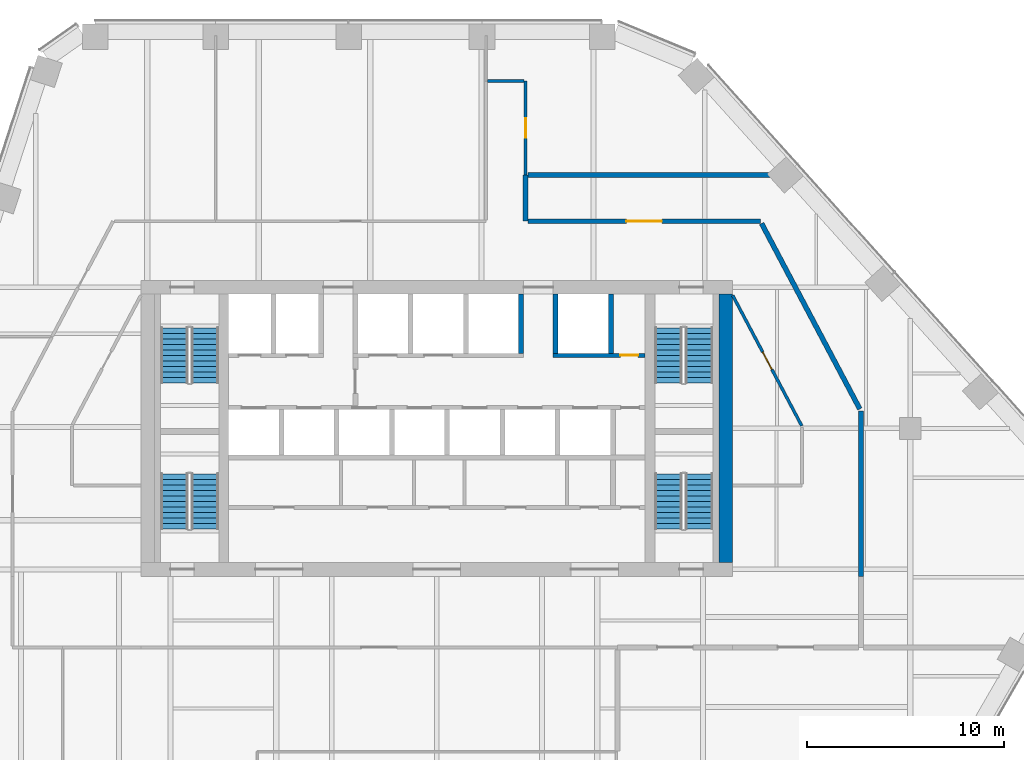
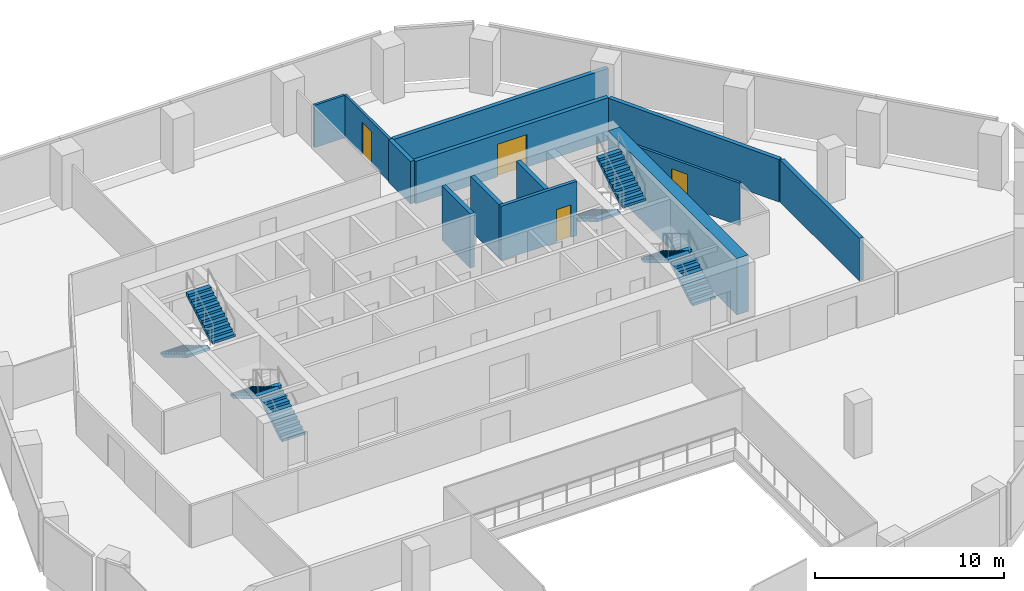
# One storey, part 13 of 16: 13 walls, 8 stair flights, 4 doors, 4 openings, 4 elements without a shape of their own.
"""IFC4 building model written with IfcOpenShell, lengths in metres."""

from ifc_helpers import new_model, si_unit, direction, frame, frame_2d, origin, place, context, subcontext, project, spatial, polyline, rectangle, outline, extrude, material, layer, layer_set, type_object, element, fill, aggregate, save


model = new_model("IFC4")

# Units and contexts
model_context = context("Model", 3, precision=1e-05, world=origin(), true_north=direction((0.0, 1.0)))
body_context = subcontext(model_context, "Body", "Model", "MODEL_VIEW")
ifc_project = project(units=[si_unit("LENGTHUNIT", "METRE"), si_unit("AREAUNIT", "SQUARE_METRE"), si_unit("VOLUMEUNIT", "CUBIC_METRE"), si_unit("PLANEANGLEUNIT", "RADIAN"), si_unit("MASSUNIT", "GRAM", prefix="KILO")], contexts=[model_context])

# Site, building, storey
site_placement = place(None, origin())
site = spatial("IfcSite", under=ifc_project, at=site_placement, CompositionType="ELEMENT")
building_placement = place(site_placement, origin())
building = spatial("IfcBuilding", under=site, at=building_placement, Name="Isthmus Gate Tower", CompositionType="ELEMENT")
storey_placement = place(building_placement, frame((0.0, 0.0, 178.10009765625)))
storey = spatial("IfcBuildingStorey", under=building, at=storey_placement, Name="L44", CompositionType="ELEMENT", Elevation=178.10009765625)

# Walls
ifc_material_1 = material(Name="Double-leaf acoustic stud wall, fire-rated", Category="gypsum")
ifc_layer_1 = layer(ifc_material_1, 0.25)
ifc_layer_set_1 = layer_set([ifc_layer_1], Name="ACOUSTIC WALL 250 60 MIN")
wall_type_1 = type_object("IfcWallType", Name="ACOUSTIC WALL 250 60 MIN", PredefinedType="PARTITIONING", material=ifc_layer_set_1)
wall_1_placement = place(storey_placement, frame((4.5, 20.341064453125, 0.0), z_axis=(0.0, 0.0, 1.0), x_axis=(0.0, -1.0, 0.0)))
element("IfcWall", 1, at=wall_1_placement, inside=storey, type_object=wall_type_1, Name="L44 Acoustic Wall 250 60 Min", PredefinedType="PARTITIONING", context=body_context, shape_type="SweptSolid", body=[
    extrude(rectangle(XDim=2.341064453125, YDim=0.25, at=frame_2d((1.17041015625, 0.0))), origin(), (0.0, 0.0, 1.0), 2.7412109375),
])
wall_2_placement = place(storey_placement, frame((21.5, 8.373046875, 0.0), z_axis=(0.0, 0.0, 1.0), x_axis=(0.0, -1.0, 0.0)))
element("IfcWall", 2, at=wall_2_placement, inside=storey, type_object=wall_type_1, Name="L44 Acoustic Wall 250 60 Min", PredefinedType="PARTITIONING", context=body_context, shape_type="SweptSolid", body=[
    extrude(rectangle(XDim=8.373046875, YDim=0.25, at=frame_2d((4.1865234375, 0.0))), origin(), (0.0, 0.0, 1.0), 2.7412109375),
])
wall_3_placement = place(storey_placement, frame((4.625, 20.341064453125, 0.0), z_axis=(0.0, 0.0, 1.0), x_axis=(1.0, 0.0, 0.0)))
element("IfcWall", 3, at=wall_3_placement, inside=storey, type_object=wall_type_1, Name="L44 Acoustic Wall 250 60 Min", PredefinedType="PARTITIONING", context=body_context, shape_type="SweptSolid", body=[
    extrude(rectangle(XDim=13.10595703125, YDim=0.25, at=frame_2d((6.552978515625, 0.0))), origin(), (0.0, 0.0, 1.0), 2.7412109375),
])

# Wall, opening, door
wall_4_placement = place(storey_placement, frame((4.625, 18.0, 0.0), z_axis=(0.0, 0.0, 1.0), x_axis=(1.0, 0.0, 0.0)))
wall_4 = element("IfcWall", 4, at=wall_4_placement, inside=storey, type_object=wall_type_1, Name="L44 Acoustic Wall 250 60 Min", PredefinedType="PARTITIONING", context=body_context, shape_type="SweptSolid", body=[
    extrude(rectangle(XDim=11.778076171875, YDim=0.25, at=frame_2d((5.88916015625, 0.0))), origin(), (0.0, 0.0, 1.0), 2.7412109375),
])
opening_1_placement = place(wall_4_placement, frame((4.989013671875, 0.0, 0.0)))
opening_1 = element("IfcOpeningElement", 5, at=opening_1_placement, cuts=wall_4, Name="Opening DT-T4A-06", PredefinedType="OPENING", context=body_context, shape_type="SweptSolid", body=[
    extrude(rectangle(XDim=1.800048828125, YDim=2.10009765625, at=frame_2d((0.89990234375, 1.050048828125))), frame((0.0, 0.135009765625, 0.0), z_axis=(0.0, -1.0, 0.0), x_axis=(1.0, 0.0, 0.0)), (0.0, 0.0, 1.0), 0.27001953125),
])
ifc_material_2 = material(Name="Solid core timber door leaf, fire-rated", Category="wood")
door_type_1 = type_object("IfcDoorType", Name="FIRE DOOR ACOUSTIC ROOM 1800 X 2100 60 MIN", OperationType="DOUBLE_DOOR_DOUBLE_SWING", PredefinedType="DOOR", material=ifc_material_2)
door_1_placement = place(opening_1_placement, origin())
door_1 = element("IfcDoor", 6, at=door_1_placement, inside=storey, type_object=door_type_1, Name="L44 room door", OperationType="DOUBLE_DOOR_DOUBLE_SWING", OverallHeight=2.10009765625, OverallWidth=1.800048828125, PredefinedType="DOOR", context=body_context, shape_type="SweptSolid", body=[
    extrude(rectangle(XDim=1.800048828125, YDim=2.10009765625, at=frame_2d((0.89990234375, 1.050048828125))), frame((0.0, 0.02490234375, 0.0), z_axis=(0.0, -1.0, 0.0), x_axis=(1.0, 0.0, 0.0)), (0.0, 0.0, 1.0), 0.050048828125),
])
fill(opening_1, door_1)

# Wall
wall_5_placement = place(storey_placement, frame((16.46142578125, 17.889404296875, 0.0), z_axis=(0.0, 0.0, 1.0), x_axis=(0.467911961302, -0.883775082513, 0.0)))
element("IfcWall", 7, at=wall_5_placement, inside=storey, type_object=wall_type_1, Name="L44 Acoustic Wall 250 60 Min", PredefinedType="PARTITIONING", context=body_context, shape_type="SweptSolid", body=[
    extrude(rectangle(XDim=10.64306640625, YDim=0.25, at=frame_2d((5.321533203125, 0.0))), origin(), (0.0, 0.0, 1.0), 2.7412109375),
])

# Wall, opening, door
ifc_material_3 = material(Name="Gypsum board on steel studs, fire-rated", Category="steel")
ifc_layer_2 = layer(ifc_material_3, 0.14990234375)
ifc_layer_set_2 = layer_set([ifc_layer_2], Name="CORRIDOR WALL 150 60 MIN")
wall_type_2 = type_object("IfcWallType", Name="CORRIDOR WALL 150 60 MIN", PredefinedType="PARTITIONING", material=ifc_layer_set_2)
wall_6_placement = place(storey_placement, frame((4.5, 25.10009765625, 0.0), z_axis=(0.0, 0.0, 1.0), x_axis=(0.0, -1.0, 0.0)))
wall_6 = element("IfcWall", 8, at=wall_6_placement, inside=storey, type_object=wall_type_2, Name="L44 Corridor Wall 150 60 Min", PredefinedType="PARTITIONING", context=body_context, shape_type="SweptSolid", body=[
    extrude(rectangle(XDim=4.759033203125, YDim=0.14990234375, at=frame_2d((2.37939453125, 0.0))), origin(), (0.0, 0.0, 1.0), 2.7412109375),
])
opening_2_placement = place(wall_6_placement, frame((1.87939453125, 0.0, 0.0)))
opening_2 = element("IfcOpeningElement", 9, at=opening_2_placement, cuts=wall_6, Name="Opening DT-T4A-02", PredefinedType="OPENING", context=body_context, shape_type="SweptSolid", body=[
    extrude(rectangle(XDim=1.0, YDim=2.10009765625, at=frame_2d((0.5, 1.050048828125))), frame((0.0, 0.0849609375, 0.0), z_axis=(0.0, -1.0, 0.0), x_axis=(1.0, 0.0, 0.0)), (0.0, 0.0, 1.0), 0.169921875),
])
ifc_material_4 = material(Name="Solid core timber door leaf, fire-rated", Category="wood")
door_type_2 = type_object("IfcDoorType", Name="FIRE DOOR ROOM 1000 X 2100 60 MIN", OperationType="SINGLE_SWING_LEFT", PredefinedType="DOOR", material=ifc_material_4)
door_2_placement = place(opening_2_placement, origin())
door_2 = element("IfcDoor", 10, at=door_2_placement, inside=storey, type_object=door_type_2, Name="L44 room door", OperationType="SINGLE_SWING_RIGHT", OverallHeight=2.10009765625, OverallWidth=1.0, PredefinedType="DOOR", context=body_context, shape_type="SweptSolid", body=[
    extrude(rectangle(XDim=1.0, YDim=2.10009765625, at=frame_2d((0.5, 1.050048828125))), frame((0.0, 0.02490234375, 0.0), z_axis=(0.0, -1.0, 0.0), x_axis=(1.0, 0.0, 0.0)), (0.0, 0.0, 1.0), 0.050048828125),
])
fill(opening_2, door_2)

wall_7_placement = place(storey_placement, frame((18.5, 7.626953125, 0.0), z_axis=(0.0, 0.0, 1.0), x_axis=(-0.467835241243, 0.883815697446, 0.0)))
wall_7 = element("IfcWall", 11, at=wall_7_placement, inside=storey, type_object=wall_type_2, Name="L44 Corridor Wall 150 60 Min", PredefinedType="PARTITIONING", context=body_context, shape_type="SweptSolid", body=[
    extrude(rectangle(XDim=7.481201171875, YDim=0.14990234375, at=frame_2d((3.74072265625, 0.0))), origin(), (0.0, 0.0, 1.0), 2.7412109375),
])
opening_3_placement = place(wall_7_placement, frame((3.240478515625, 0.0, 0.0)))
opening_3 = element("IfcOpeningElement", 12, at=opening_3_placement, cuts=wall_7, Name="Opening DT-T4A-05", PredefinedType="OPENING", context=body_context, shape_type="SweptSolid", body=[
    extrude(rectangle(XDim=1.0, YDim=2.10009765625, at=frame_2d((0.5, 1.050048828125))), frame((0.0, 0.0849609375, 0.0), z_axis=(0.0, -1.0, 0.0), x_axis=(1.0, 0.0, 0.0)), (0.0, 0.0, 1.0), 0.169921875),
])
door_3_placement = place(opening_3_placement, origin())
door_3 = element("IfcDoor", 13, at=door_3_placement, inside=storey, type_object=door_type_2, Name="L44 room door", OperationType="SINGLE_SWING_RIGHT", OverallHeight=2.10009765625, OverallWidth=1.0, PredefinedType="DOOR", context=body_context, shape_type="SweptSolid", body=[
    extrude(rectangle(XDim=1.0, YDim=2.10009765625, at=frame_2d((0.5, 1.050048828125))), frame((0.0, 0.02490234375, 0.0), z_axis=(0.0, -1.0, 0.0), x_axis=(1.0, 0.0, 0.0)), (0.0, 0.0, 1.0), 0.050048828125),
])
fill(opening_3, door_3)

# Walls
wall_8_placement = place(storey_placement, frame((2.574951171875, 25.10009765625, 0.0), z_axis=(0.0, 0.0, 1.0), x_axis=(1.0, 0.0, 0.0)))
element("IfcWall", 14, at=wall_8_placement, inside=storey, type_object=wall_type_2, Name="L44 Corridor Wall 150 60 Min", PredefinedType="PARTITIONING", context=body_context, shape_type="SweptSolid", body=[
    extrude(rectangle(XDim=1.85009765625, YDim=0.14990234375, at=frame_2d((0.925048828125, 0.0))), origin(), (0.0, 0.0, 1.0), 2.7412109375),
])
ifc_material_5 = material(Name="Concrete f'c 60 MPa", Category="concrete")
ifc_layer_3 = layer(ifc_material_5, 0.699951171875)
ifc_layer_set_3 = layer_set([ifc_layer_3], Name="RC CORE WALL 700 F'C 60")
wall_type_3 = type_object("IfcWallType", Name="RC CORE WALL 700 F'C 60", PredefinedType="SOLIDWALL", material=ifc_layer_set_3)
wall_9_placement = place(storey_placement, frame((14.64990234375, 0.699951171875, -0.150146484375), z_axis=(0.0, 0.0, 1.0), x_axis=(0.0, 1.0, 0.0)))
element("IfcWall", 15, at=wall_9_placement, inside=storey, type_object=wall_type_3, Name="str-corewall-L44-E", PredefinedType="SOLIDWALL", context=body_context, shape_type="SweptSolid", body=[
    extrude(rectangle(XDim=13.60009765625, YDim=0.699951171875, at=frame_2d((6.800048828125, 0.0))), origin(), (0.0, 0.0, 1.0), 3.650146484375),
])

# Wall, opening, door
ifc_material_6 = material(Name="Fire-rated blockwork masonry, 15 MPa", Category="masonry")
ifc_layer_4 = layer(ifc_material_6, 0.199951171875)
ifc_layer_set_4 = layer_set([ifc_layer_4], Name="SHAFT FRONT WALL 200 120 MIN")
wall_type_4 = type_object("IfcWallType", Name="SHAFT FRONT WALL 200 120 MIN", PredefinedType="PARTITIONING", material=ifc_layer_set_4)
wall_10_placement = place(storey_placement, frame((5.89990234375, 11.199951171875, 0.0), z_axis=(0.0, 0.0, 1.0), x_axis=(1.0, 0.0, 0.0)))
wall_10 = element("IfcWall", 16, at=wall_10_placement, inside=storey, type_object=wall_type_4, Name="L44 SHAFT FRONT WALL 200 120 MIN", PredefinedType="PARTITIONING", context=body_context, shape_type="SweptSolid", body=[
    extrude(rectangle(XDim=4.650146484375, YDim=0.199951171875, at=frame_2d((2.3251953125, 0.0))), origin(), (0.0, 0.0, 1.0), 3.5),
])
opening_4_placement = place(wall_10_placement, frame((3.39990234375, 0.0, 0.0)))
opening_4 = element("IfcOpeningElement", 17, at=opening_4_placement, cuts=wall_10, Name="Opening DC-A11-09", PredefinedType="OPENING", context=body_context, shape_type="SweptSolid", body=[
    extrude(rectangle(XDim=0.89990234375, YDim=2.10009765625, at=frame_2d((0.449951171875, 1.050048828125))), frame((0.0, 0.10986328125, 0.0), z_axis=(0.0, -1.0, 0.0), x_axis=(1.0, 0.0, 0.0)), (0.0, 0.0, 1.0), 0.219970703125),
])
ifc_material_7 = material(Name="Steel door leaf, fire-rated", Category="steel")
door_type_3 = type_object("IfcDoorType", Name="RISER FIRE DOOR 900 X 2100 90 MIN", OperationType="SINGLE_SWING_LEFT", PredefinedType="DOOR", material=ifc_material_7)
door_4_placement = place(opening_4_placement, origin())
door_4 = element("IfcDoor", 18, at=door_4_placement, inside=storey, type_object=door_type_3, Name="Riser Door", OperationType="SINGLE_SWING_LEFT", OverallHeight=2.10009765625, OverallWidth=0.89990234375, PredefinedType="DOOR", context=body_context, shape_type="SweptSolid", body=[
    extrude(rectangle(XDim=0.89990234375, YDim=2.10009765625, at=frame_2d((0.449951171875, 1.050048828125))), frame((0.0, 0.02490234375, 0.0), z_axis=(0.0, -1.0, 0.0), x_axis=(1.0, 0.0, 0.0)), (0.0, 0.0, 1.0), 0.050048828125),
])
fill(opening_4, door_4)

# Walls
ifc_material_8 = material(Name="Fire-rated blockwork masonry, 15 MPa", Category="masonry")
ifc_layer_5 = layer(ifc_material_8, 0.25)
ifc_layer_set_5 = layer_set([ifc_layer_5], Name="SHAFT WALL 250 120 MIN")
wall_type_5 = type_object("IfcWallType", Name="SHAFT WALL 250 120 MIN", PredefinedType="PARTITIONING", material=ifc_layer_set_5)
for number, where, z_axis, x_axis, name in (
    (19, (4.27490234375, 11.300048828125, 0.0), (0.0, 0.0, 1.0), (0.0, 1.0, 0.0), "L44 SHAFT WALL 250 120 MIN"),
    (20, (6.02490234375, 11.300048828125, 0.0), (0.0, 0.0, 1.0), (0.0, 1.0, 0.0), "L44 SHAFT WALL 250 120 MIN"),
    (21, (8.824951171875, 11.300048828125, 0.0), (0.0, 0.0, 1.0), (0.0, 1.0, 0.0), "L44 SHAFT WALL 250 120 MIN"),
):
    element("IfcWall", number, at=place(storey_placement, frame(where, z_axis=z_axis, x_axis=x_axis)), inside=storey, type_object=wall_type_5, Name=name, PredefinedType="PARTITIONING", context=body_context, shape_type="SweptSolid", body=[
        extrude(rectangle(XDim=3.0, YDim=0.25, at=frame_2d((1.5, 0.0))), origin(), (0.0, 0.0, 1.0), 3.5),
    ])

# Stair, stair flights
ifc_material_9 = material(Name="Concrete f'c 40 MPa", Category="concrete")
stair_type = type_object("IfcStairType", Name="CORE STAIR 22 RISERS", PredefinedType="HALF_TURN_STAIR", material=ifc_material_9)
stair_1_placement = place(storey_placement, origin())
stair_1 = element("IfcStair", 22, at=stair_1_placement, inside=storey, type_object=stair_type, Name="L44 Exit Stair 1", PredefinedType="HALF_TURN_STAIR")
ifc_material_10 = material(Name="Concrete f'c 40 MPa", Category="concrete")
stair_flight_type = type_object("IfcStairFlightType", Name="STAIR FLIGHT RC 1400", PredefinedType="STRAIGHT", material=ifc_material_10)
stair_flight_1_placement = place(storey_placement, frame((-13.300048828125, 12.60009765625, 0.0), z_axis=(0.0, 0.0, 1.0), x_axis=(0.0, -1.0, 0.0)))
stair_flight_1 = element("IfcStairFlight", 23, at=stair_flight_1_placement, type_object=stair_flight_type, Name="ST1 flight 1", NumberOfRisers=11, NumberOfTreads=10, PredefinedType="STRAIGHT", RiserHeight=0.165909091, TreadLength=0.28, context=body_context, shape_type="SweptSolid", body=[
    extrude(outline(polyline([(0.0, 0.0), (0.0, 0.166015625), (0.280029296875, 0.166015625), (0.280029296875, 0.331787109375), (0.56005859375, 0.331787109375), (0.56005859375, 0.497802734375), (0.840087890625, 0.497802734375), (0.840087890625, 0.66357421875), (1.1201171875, 0.66357421875), (1.1201171875, 0.82958984375), (1.39990234375, 0.82958984375), (1.39990234375, 0.995361328125), (1.679931640625, 0.995361328125), (1.679931640625, 1.161376953125), (1.9599609375, 1.161376953125), (1.9599609375, 1.327392578125), (2.239990234375, 1.327392578125), (2.239990234375, 1.4931640625), (2.52001953125, 1.4931640625), (2.52001953125, 1.6591796875), (2.800048828125, 1.6591796875), (2.800048828125, 1.824951171875), (2.800048828125, 1.48486328125), (0.2939453125, 0.0), (0.0, 0.0)])), frame((0.0, 0.699951171875, 0.0), z_axis=(0.0, -1.0, 0.0), x_axis=(1.0, 0.0, 0.0)), (0.0, 0.0, 1.0), 1.39990234375),
])
stair_flight_2_placement = place(storey_placement, frame((-11.75, 9.800048828125, 1.824951171875), z_axis=(0.0, 0.0, 1.0), x_axis=(0.0, 1.0, 0.0)))
stair_flight_2 = element("IfcStairFlight", 24, at=stair_flight_2_placement, type_object=stair_flight_type, Name="ST1 flight 2", NumberOfRisers=11, NumberOfTreads=10, PredefinedType="STRAIGHT", RiserHeight=0.165909091, TreadLength=0.28, context=body_context, shape_type="SweptSolid", body=[
    extrude(outline(polyline([(0.0, 0.0), (0.0, 0.166015625), (0.280029296875, 0.166015625), (0.280029296875, 0.331787109375), (0.56005859375, 0.331787109375), (0.56005859375, 0.497802734375), (0.840087890625, 0.497802734375), (0.840087890625, 0.66357421875), (1.1201171875, 0.66357421875), (1.1201171875, 0.82958984375), (1.39990234375, 0.82958984375), (1.39990234375, 0.995361328125), (1.679931640625, 0.995361328125), (1.679931640625, 1.161376953125), (1.9599609375, 1.161376953125), (1.9599609375, 1.327392578125), (2.239990234375, 1.327392578125), (2.239990234375, 1.4931640625), (2.52001953125, 1.4931640625), (2.52001953125, 1.6591796875), (2.800048828125, 1.6591796875), (2.800048828125, 1.824951171875), (2.800048828125, 1.48486328125), (0.2939453125, 0.0), (0.0, 0.0)])), frame((0.0, 0.699951171875, 0.0), z_axis=(0.0, -1.0, 0.0), x_axis=(1.0, 0.0, 0.0)), (0.0, 0.0, 1.0), 1.39990234375),
])
aggregate(stair_1, [stair_flight_1, stair_flight_2])

stair_2_placement = place(storey_placement, origin())
stair_2 = element("IfcStair", 25, at=stair_2_placement, inside=storey, type_object=stair_type, Name="L44 Exit Stair 2", PredefinedType="HALF_TURN_STAIR")
stair_flight_3_placement = place(storey_placement, frame((11.75, 12.60009765625, 0.0), z_axis=(0.0, 0.0, 1.0), x_axis=(0.0, -1.0, 0.0)))
stair_flight_3 = element("IfcStairFlight", 26, at=stair_flight_3_placement, type_object=stair_flight_type, Name="ST2 flight 1", NumberOfRisers=11, NumberOfTreads=10, PredefinedType="STRAIGHT", RiserHeight=0.165909091, TreadLength=0.28, context=body_context, shape_type="SweptSolid", body=[
    extrude(outline(polyline([(0.0, 0.0), (0.0, 0.166015625), (0.280029296875, 0.166015625), (0.280029296875, 0.331787109375), (0.56005859375, 0.331787109375), (0.56005859375, 0.497802734375), (0.840087890625, 0.497802734375), (0.840087890625, 0.66357421875), (1.1201171875, 0.66357421875), (1.1201171875, 0.82958984375), (1.39990234375, 0.82958984375), (1.39990234375, 0.995361328125), (1.679931640625, 0.995361328125), (1.679931640625, 1.161376953125), (1.9599609375, 1.161376953125), (1.9599609375, 1.327392578125), (2.239990234375, 1.327392578125), (2.239990234375, 1.4931640625), (2.52001953125, 1.4931640625), (2.52001953125, 1.6591796875), (2.800048828125, 1.6591796875), (2.800048828125, 1.824951171875), (2.800048828125, 1.48486328125), (0.2939453125, 0.0), (0.0, 0.0)])), frame((0.0, 0.699951171875, 0.0), z_axis=(0.0, -1.0, 0.0), x_axis=(1.0, 0.0, 0.0)), (0.0, 0.0, 1.0), 1.39990234375),
])
stair_flight_4_placement = place(storey_placement, frame((13.300048828125, 9.800048828125, 1.824951171875), z_axis=(0.0, 0.0, 1.0), x_axis=(0.0, 1.0, 0.0)))
stair_flight_4 = element("IfcStairFlight", 27, at=stair_flight_4_placement, type_object=stair_flight_type, Name="ST2 flight 2", NumberOfRisers=11, NumberOfTreads=10, PredefinedType="STRAIGHT", RiserHeight=0.165909091, TreadLength=0.28, context=body_context, shape_type="SweptSolid", body=[
    extrude(outline(polyline([(0.0, 0.0), (0.0, 0.166015625), (0.280029296875, 0.166015625), (0.280029296875, 0.331787109375), (0.56005859375, 0.331787109375), (0.56005859375, 0.497802734375), (0.840087890625, 0.497802734375), (0.840087890625, 0.66357421875), (1.1201171875, 0.66357421875), (1.1201171875, 0.82958984375), (1.39990234375, 0.82958984375), (1.39990234375, 0.995361328125), (1.679931640625, 0.995361328125), (1.679931640625, 1.161376953125), (1.9599609375, 1.161376953125), (1.9599609375, 1.327392578125), (2.239990234375, 1.327392578125), (2.239990234375, 1.4931640625), (2.52001953125, 1.4931640625), (2.52001953125, 1.6591796875), (2.800048828125, 1.6591796875), (2.800048828125, 1.824951171875), (2.800048828125, 1.48486328125), (0.2939453125, 0.0), (0.0, 0.0)])), frame((0.0, 0.699951171875, 0.0), z_axis=(0.0, -1.0, 0.0), x_axis=(1.0, 0.0, 0.0)), (0.0, 0.0, 1.0), 1.39990234375),
])
aggregate(stair_2, [stair_flight_3, stair_flight_4])

stair_3_placement = place(storey_placement, origin())
stair_3 = element("IfcStair", 28, at=stair_3_placement, inside=storey, type_object=stair_type, Name="L44 Exit Stair 7", PredefinedType="HALF_TURN_STAIR")
stair_flight_5_placement = place(storey_placement, frame((-11.75, 2.39990234375, 0.0), z_axis=(0.0, 0.0, 1.0), x_axis=(0.0, 1.0, 0.0)))
stair_flight_5 = element("IfcStairFlight", 29, at=stair_flight_5_placement, type_object=stair_flight_type, Name="ST7 flight 1", NumberOfRisers=11, NumberOfTreads=10, PredefinedType="STRAIGHT", RiserHeight=0.165909091, TreadLength=0.28, context=body_context, shape_type="SweptSolid", body=[
    extrude(outline(polyline([(0.0, 0.0), (0.0, 0.166015625), (0.280029296875, 0.166015625), (0.280029296875, 0.331787109375), (0.56005859375, 0.331787109375), (0.56005859375, 0.497802734375), (0.840087890625, 0.497802734375), (0.840087890625, 0.66357421875), (1.1201171875, 0.66357421875), (1.1201171875, 0.82958984375), (1.39990234375, 0.82958984375), (1.39990234375, 0.995361328125), (1.679931640625, 0.995361328125), (1.679931640625, 1.161376953125), (1.9599609375, 1.161376953125), (1.9599609375, 1.327392578125), (2.239990234375, 1.327392578125), (2.239990234375, 1.4931640625), (2.52001953125, 1.4931640625), (2.52001953125, 1.6591796875), (2.800048828125, 1.6591796875), (2.800048828125, 1.824951171875), (2.800048828125, 1.48486328125), (0.2939453125, 0.0), (0.0, 0.0)])), frame((0.0, 0.699951171875, 0.0), z_axis=(0.0, -1.0, 0.0), x_axis=(1.0, 0.0, 0.0)), (0.0, 0.0, 1.0), 1.39990234375),
])
stair_flight_6_placement = place(storey_placement, frame((-13.300048828125, 5.199951171875, 1.824951171875), z_axis=(0.0, 0.0, 1.0), x_axis=(0.0, -1.0, 0.0)))
stair_flight_6 = element("IfcStairFlight", 30, at=stair_flight_6_placement, type_object=stair_flight_type, Name="ST7 flight 2", NumberOfRisers=11, NumberOfTreads=10, PredefinedType="STRAIGHT", RiserHeight=0.165909091, TreadLength=0.28, context=body_context, shape_type="SweptSolid", body=[
    extrude(outline(polyline([(0.0, 0.0), (0.0, 0.166015625), (0.280029296875, 0.166015625), (0.280029296875, 0.331787109375), (0.56005859375, 0.331787109375), (0.56005859375, 0.497802734375), (0.840087890625, 0.497802734375), (0.840087890625, 0.66357421875), (1.1201171875, 0.66357421875), (1.1201171875, 0.82958984375), (1.39990234375, 0.82958984375), (1.39990234375, 0.995361328125), (1.679931640625, 0.995361328125), (1.679931640625, 1.161376953125), (1.9599609375, 1.161376953125), (1.9599609375, 1.327392578125), (2.239990234375, 1.327392578125), (2.239990234375, 1.4931640625), (2.52001953125, 1.4931640625), (2.52001953125, 1.6591796875), (2.800048828125, 1.6591796875), (2.800048828125, 1.824951171875), (2.800048828125, 1.48486328125), (0.2939453125, 0.0), (0.0, 0.0)])), frame((0.0, 0.699951171875, 0.0), z_axis=(0.0, -1.0, 0.0), x_axis=(1.0, 0.0, 0.0)), (0.0, 0.0, 1.0), 1.39990234375),
])
aggregate(stair_3, [stair_flight_5, stair_flight_6])

stair_4_placement = place(storey_placement, origin())
stair_4 = element("IfcStair", 31, at=stair_4_placement, inside=storey, type_object=stair_type, Name="L44 Exit Stair 8", PredefinedType="HALF_TURN_STAIR")
stair_flight_7_placement = place(storey_placement, frame((13.300048828125, 2.39990234375, 0.0), z_axis=(0.0, 0.0, 1.0), x_axis=(0.0, 1.0, 0.0)))
stair_flight_7 = element("IfcStairFlight", 32, at=stair_flight_7_placement, type_object=stair_flight_type, Name="ST8 flight 1", NumberOfRisers=11, NumberOfTreads=10, PredefinedType="STRAIGHT", RiserHeight=0.165909091, TreadLength=0.28, context=body_context, shape_type="SweptSolid", body=[
    extrude(outline(polyline([(0.0, 0.0), (0.0, 0.166015625), (0.280029296875, 0.166015625), (0.280029296875, 0.331787109375), (0.56005859375, 0.331787109375), (0.56005859375, 0.497802734375), (0.840087890625, 0.497802734375), (0.840087890625, 0.66357421875), (1.1201171875, 0.66357421875), (1.1201171875, 0.82958984375), (1.39990234375, 0.82958984375), (1.39990234375, 0.995361328125), (1.679931640625, 0.995361328125), (1.679931640625, 1.161376953125), (1.9599609375, 1.161376953125), (1.9599609375, 1.327392578125), (2.239990234375, 1.327392578125), (2.239990234375, 1.4931640625), (2.52001953125, 1.4931640625), (2.52001953125, 1.6591796875), (2.800048828125, 1.6591796875), (2.800048828125, 1.824951171875), (2.800048828125, 1.48486328125), (0.2939453125, 0.0), (0.0, 0.0)])), frame((0.0, 0.699951171875, 0.0), z_axis=(0.0, -1.0, 0.0), x_axis=(1.0, 0.0, 0.0)), (0.0, 0.0, 1.0), 1.39990234375),
])
stair_flight_8_placement = place(storey_placement, frame((11.75, 5.199951171875, 1.824951171875), z_axis=(0.0, 0.0, 1.0), x_axis=(0.0, -1.0, 0.0)))
stair_flight_8 = element("IfcStairFlight", 33, at=stair_flight_8_placement, type_object=stair_flight_type, Name="ST8 flight 2", NumberOfRisers=11, NumberOfTreads=10, PredefinedType="STRAIGHT", RiserHeight=0.165909091, TreadLength=0.28, context=body_context, shape_type="SweptSolid", body=[
    extrude(outline(polyline([(0.0, 0.0), (0.0, 0.166015625), (0.280029296875, 0.166015625), (0.280029296875, 0.331787109375), (0.56005859375, 0.331787109375), (0.56005859375, 0.497802734375), (0.840087890625, 0.497802734375), (0.840087890625, 0.66357421875), (1.1201171875, 0.66357421875), (1.1201171875, 0.82958984375), (1.39990234375, 0.82958984375), (1.39990234375, 0.995361328125), (1.679931640625, 0.995361328125), (1.679931640625, 1.161376953125), (1.9599609375, 1.161376953125), (1.9599609375, 1.327392578125), (2.239990234375, 1.327392578125), (2.239990234375, 1.4931640625), (2.52001953125, 1.4931640625), (2.52001953125, 1.6591796875), (2.800048828125, 1.6591796875), (2.800048828125, 1.824951171875), (2.800048828125, 1.48486328125), (0.2939453125, 0.0), (0.0, 0.0)])), frame((0.0, 0.699951171875, 0.0), z_axis=(0.0, -1.0, 0.0), x_axis=(1.0, 0.0, 0.0)), (0.0, 0.0, 1.0), 1.39990234375),
])
aggregate(stair_4, [stair_flight_7, stair_flight_8])

save(model, "model.ifc")
